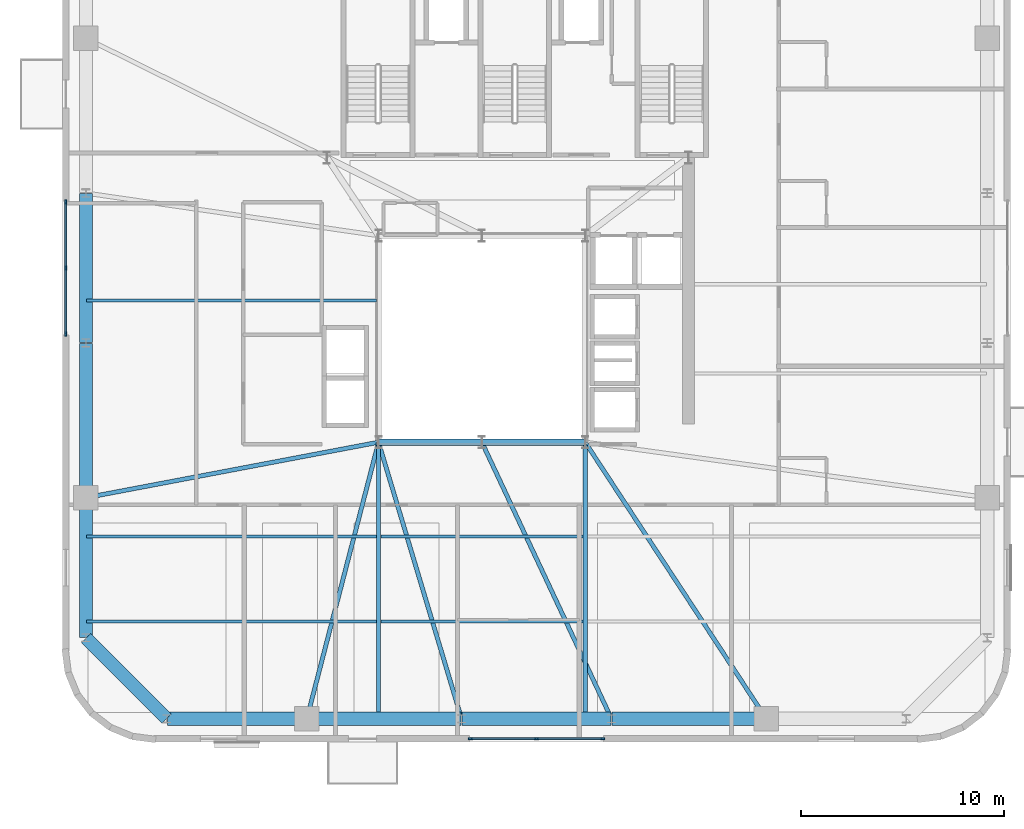
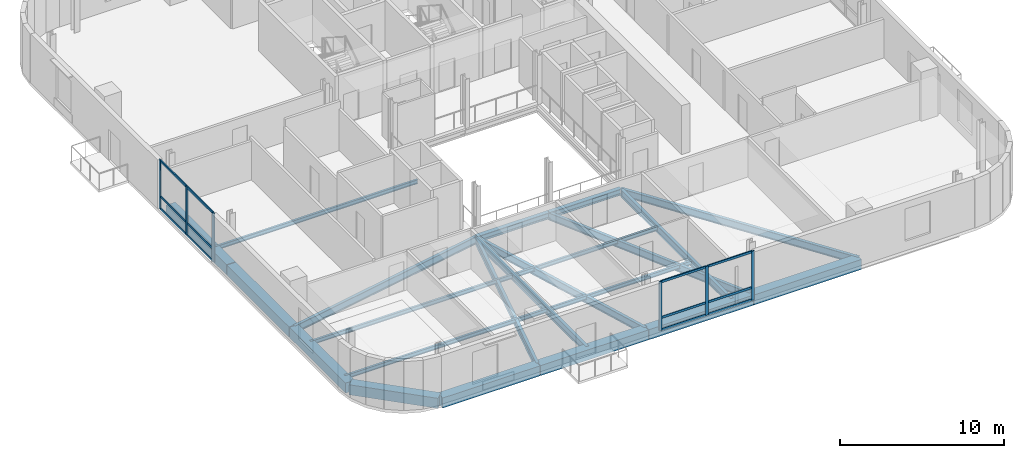
# One storey, part 3 of 15: 22 beams, 18 members, 2 elements without a shape of their own.
"""IFC4 building model written with IfcOpenShell, lengths in metres."""

from ifc_helpers import new_model, si_unit, direction, frame, origin, origin_2d, place, context, subcontext, project, spatial, rectangle, i_section, extrude, source, transform, mapped, material, material_profile, profile_set, type_object, element, aggregate, save


model = new_model("IFC4")

# Units and contexts
model_context = context("Model", 3, precision=1e-05, world=origin(), true_north=direction((0.0, 1.0)))
body_context = subcontext(model_context, "Body", "Model", "MODEL_VIEW")
ifc_project = project(units=[si_unit("LENGTHUNIT", "METRE"), si_unit("AREAUNIT", "SQUARE_METRE"), si_unit("VOLUMEUNIT", "CUBIC_METRE"), si_unit("PLANEANGLEUNIT", "RADIAN"), si_unit("MASSUNIT", "GRAM", prefix="KILO")], contexts=[model_context])

# Site, building, storey
site_placement = place(None, origin())
site = spatial("IfcSite", under=ifc_project, at=site_placement, CompositionType="ELEMENT")
building_placement = place(site_placement, origin())
building = spatial("IfcBuilding", under=site, at=building_placement, Name="Vardaveli Station Tower", CompositionType="ELEMENT")
storey_placement = place(building_placement, frame((0.0, 0.0, 250.60009765625)))
storey = spatial("IfcBuildingStorey", under=building, at=storey_placement, Name="L64", CompositionType="ELEMENT", Elevation=250.60009765625)

# Beams
ifc_material_1 = material(Name="Structural steel S355J2", Category="steel")
ifc_material_profile_1 = material_profile(ifc_material_1, i_section(OverallWidth=0.300048828125, OverallDepth=0.449951171875, WebThickness=0.013916015625, FlangeThickness=0.02587890625, FilletRadius=0.027099609375, at=origin_2d()), Name="HEB 450")
ifc_profile_set_1 = profile_set([ifc_material_profile_1], Name="Structural steel S355J2")
beam_type_1 = type_object("IfcBeamType", Name="BM-HEB450", PredefinedType="BEAM", material=ifc_profile_set_1)
shared_shape_1 = source(origin(), body_context, "Body", "SweptSolid", [
    extrude(i_section(OverallWidth=0.300048828125, OverallDepth=0.449951171875, WebThickness=0.013916015625, FlangeThickness=0.02587890625, FilletRadius=0.027099609375, at=origin_2d()), origin(), (0.0, 0.0, 1.0), 5.06005859375),
])
beam_1_placement = place(storey_placement, frame((31.219970703125, 16.60009765625, -0.445068359375), z_axis=(1.0, 0.0, 0.0), x_axis=(0.0, 1.0, 0.0)))
element("IfcBeam", 1, at=beam_1_placement, inside=storey, type_object=beam_type_1, Name="ABM-L64-01", PredefinedType="BEAM", context=body_context, shape_type="MappedRepresentation", body=[
    mapped(shared_shape_1, transform((0.0, 0.0, 0.0), scale=1.0)),
])
shared_shape_2 = source(origin(), body_context, "Body", "SweptSolid", [
    extrude(i_section(OverallWidth=0.300048828125, OverallDepth=0.449951171875, WebThickness=0.013916015625, FlangeThickness=0.02587890625, FilletRadius=0.027099609375, at=origin_2d()), origin(), (0.0, 0.0, 1.0), 5.059814453125),
])
beam_2_placement = place(storey_placement, frame((36.320068359375, 16.60009765625, -0.445068359375), z_axis=(1.0, 0.0, 0.0), x_axis=(0.0, 1.0, 0.0)))
element("IfcBeam", 2, at=beam_2_placement, inside=storey, type_object=beam_type_1, Name="ABM-L64-02", PredefinedType="BEAM", context=body_context, shape_type="MappedRepresentation", body=[
    mapped(shared_shape_2, transform((0.0, 0.0, 0.0), scale=1.0)),
])
ifc_material_2 = material(Name="Precast concrete C45/55", Category="concrete")
ifc_material_profile_2 = material_profile(ifc_material_2, rectangle(XDim=0.64990234375, YDim=0.75, at=origin_2d()), Name="LPB 650x750")
ifc_profile_set_2 = profile_set([ifc_material_profile_2], Name="Precast concrete C45/55")
beam_type_2 = type_object("IfcBeamType", Name="BM-LPB-750", PredefinedType="BEAM", material=ifc_profile_set_2)
shared_shape_3 = source(origin(), body_context, "Body", "SweptSolid", [
    extrude(rectangle(XDim=0.64990234375, YDim=0.75, at=origin_2d()), origin(), (0.0, 0.0, 1.0), 7.60009765625),
])
for number, where, z_axis, x_axis, name in (
    (3, (27.679931640625, 2.949951171875, -0.59521484375), (1.0, 0.0, 0.0), (0.0, 1.0, 0.0), "RBM-L64-01"),
    (4, (42.719970703125, 2.949951171875, -0.59521484375), (1.0, 0.0, 0.0), (0.0, 1.0, 0.0), "RBM-L64-03"),
    (5, (16.75, 21.47998046875, -0.59521484375), (0.0, -1.0, 0.0), (1.0, 0.0, 0.0), "RBM-L64-21"),
):
    element("IfcBeam", number, at=place(storey_placement, frame(where, z_axis=z_axis, x_axis=x_axis)), inside=storey, type_object=beam_type_2, Name=name, PredefinedType="BEAM", context=body_context, shape_type="MappedRepresentation", body=[
        mapped(shared_shape_3, transform((0.0, 0.0, 0.0), scale=1.0)),
    ])
shared_shape_4 = source(origin(), body_context, "Body", "SweptSolid", [
    extrude(rectangle(XDim=0.64990234375, YDim=0.75, at=origin_2d()), origin(), (0.0, 0.0, 1.0), 7.35986328125),
])
for number, where, z_axis, x_axis, name in (
    (6, (35.320068359375, 2.949951171875, -0.59521484375), (1.0, 0.0, 0.0), (0.0, 1.0, 0.0), "RBM-L64-02"),
    (7, (16.75, 28.8798828125, -0.59521484375), (0.0, -1.0, 0.0), (1.0, 0.0, 0.0), "RBM-L64-20"),
):
    element("IfcBeam", number, at=place(storey_placement, frame(where, z_axis=z_axis, x_axis=x_axis)), inside=storey, type_object=beam_type_2, Name=name, PredefinedType="BEAM", context=body_context, shape_type="MappedRepresentation", body=[
        mapped(shared_shape_4, transform((0.0, 0.0, 0.0), scale=1.0)),
    ])
shared_shape_5 = source(origin(), body_context, "Body", "SweptSolid", [
    extrude(rectangle(XDim=0.64990234375, YDim=0.75, at=origin_2d()), origin(), (0.0, 0.0, 1.0), 6.869873046875),
])
beam_3_placement = place(storey_placement, frame((20.77001953125, 2.949951171875, -0.59521484375), z_axis=(1.0, 0.0, 0.0), x_axis=(0.0, 1.0, 0.0)))
element("IfcBeam", 8, at=beam_3_placement, inside=storey, type_object=beam_type_2, Name="RBM-L64-24", PredefinedType="BEAM", context=body_context, shape_type="MappedRepresentation", body=[
    mapped(shared_shape_5, transform((0.0, 0.0, 0.0), scale=1.0)),
])
shared_shape_6 = source(origin(), body_context, "Body", "SweptSolid", [
    extrude(rectangle(XDim=0.64990234375, YDim=0.75, at=origin_2d()), origin(), (0.0, 0.0, 1.0), 5.61669921875),
])
beam_4_placement = place(storey_placement, frame((16.76416015625, 6.935791015625, -0.59521484375), z_axis=(0.707106781187, -0.707106781187, 0.0), x_axis=(0.707106781187, 0.707106781187, 0.0)))
element("IfcBeam", 9, at=beam_4_placement, inside=storey, type_object=beam_type_2, Name="RBM-L64-23", PredefinedType="BEAM", context=body_context, shape_type="MappedRepresentation", body=[
    mapped(shared_shape_6, transform((0.0, 0.0, 0.0), scale=1.0)),
])
shared_shape_7 = source(origin(), body_context, "Body", "SweptSolid", [
    extrude(rectangle(XDim=0.64990234375, YDim=0.75, at=origin_2d()), origin(), (0.0, 0.0, 1.0), 6.8701171875),
])
beam_5_placement = place(storey_placement, frame((16.75, 13.840087890625, -0.59521484375), z_axis=(0.0, -1.0, 0.0), x_axis=(1.0, 0.0, 0.0)))
element("IfcBeam", 10, at=beam_5_placement, inside=storey, type_object=beam_type_2, Name="RBM-L64-22", PredefinedType="BEAM", context=body_context, shape_type="MappedRepresentation", body=[
    mapped(shared_shape_7, transform((0.0, 0.0, 0.0), scale=1.0)),
])
ifc_material_profile_3 = material_profile(ifc_material_1, i_section(OverallWidth=0.2099609375, OverallDepth=0.550048828125, WebThickness=0.010986328125, FlangeThickness=0.01708984375, FilletRadius=0.02392578125, at=origin_2d()), Name="IPE 550")
ifc_profile_set_3 = profile_set([ifc_material_profile_3], Name="Structural steel S355J2")
beam_type_3 = type_object("IfcBeamType", Name="BM-IPE550", PredefinedType="BEAM", material=ifc_profile_set_3)
shared_shape_8 = source(origin(), body_context, "Body", "SweptSolid", [
    extrude(i_section(OverallWidth=0.2099609375, OverallDepth=0.550048828125, WebThickness=0.010986328125, FlangeThickness=0.01708984375, FilletRadius=0.02392578125, at=origin_2d()), origin(), (0.0, 0.0, 1.0), 13.469970703125),
])
for number, where, z_axis, x_axis, name in (
    (11, (31.199951171875, 2.989990234375, -0.4951171875), (0.0, 1.0, 0.0), (-1.0, 0.0, 0.0), "NSM-L64-S1"),
    (12, (41.39990234375, 2.989990234375, -0.4951171875), (0.0, 1.0, 0.0), (-1.0, 0.0, 0.0), "NSM-L64-S2"),
):
    element("IfcBeam", number, at=place(storey_placement, frame(where, z_axis=z_axis, x_axis=x_axis)), inside=storey, type_object=beam_type_3, Name=name, PredefinedType="BEAM", context=body_context, shape_type="MappedRepresentation", body=[
        mapped(shared_shape_8, transform((0.0, 0.0, 0.0), scale=1.0)),
    ])
shared_shape_9 = source(origin(), body_context, "Body", "SweptSolid", [
    extrude(i_section(OverallWidth=0.2099609375, OverallDepth=0.550048828125, WebThickness=0.010986328125, FlangeThickness=0.01708984375, FilletRadius=0.02392578125, at=origin_2d()), origin(), (0.0, 0.0, 1.0), 14.0615234375),
])
beam_6_placement = place(storey_placement, frame((27.6650390625, 2.96923828125, -0.4951171875), z_axis=(0.251039886128, 0.967976743302, 0.0), x_axis=(-0.967976743302, 0.251039886128, 0.0)))
element("IfcBeam", 13, at=beam_6_placement, inside=storey, type_object=beam_type_3, Name="GBM-L64-01", PredefinedType="BEAM", context=body_context, shape_type="MappedRepresentation", body=[
    mapped(shared_shape_9, transform((0.0, 0.0, 0.0), scale=1.0)),
])
shared_shape_10 = source(origin(), body_context, "Body", "SweptSolid", [
    extrude(i_section(OverallWidth=0.2099609375, OverallDepth=0.550048828125, WebThickness=0.010986328125, FlangeThickness=0.01708984375, FilletRadius=0.02392578125, at=origin_2d()), origin(), (0.0, 0.0, 1.0), 14.21240234375),
])
beam_7_placement = place(storey_placement, frame((35.294189453125, 2.96923828125, -0.4951171875), z_axis=(-0.287664640516, 0.957731201641, 0.0), x_axis=(-0.957731201641, -0.287664640516, 0.0)))
element("IfcBeam", 14, at=beam_7_placement, inside=storey, type_object=beam_type_3, Name="GBM-L64-02", PredefinedType="BEAM", context=body_context, shape_type="MappedRepresentation", body=[
    mapped(shared_shape_10, transform((0.0, 0.0, 0.0), scale=1.0)),
])
shared_shape_11 = source(origin(), body_context, "Body", "SweptSolid", [
    extrude(i_section(OverallWidth=0.2099609375, OverallDepth=0.550048828125, WebThickness=0.010986328125, FlangeThickness=0.01708984375, FilletRadius=0.02392578125, at=origin_2d()), origin(), (0.0, 0.0, 1.0), 15.035888671875),
])
beam_8_placement = place(storey_placement, frame((42.69140625, 2.968017578125, -0.4951171875), z_axis=(-0.424507924171, 0.905424222293, 0.0), x_axis=(-0.905424222293, -0.424507924171, 0.0)))
element("IfcBeam", 15, at=beam_8_placement, inside=storey, type_object=beam_type_3, Name="GBM-L64-03", PredefinedType="BEAM", context=body_context, shape_type="MappedRepresentation", body=[
    mapped(shared_shape_11, transform((0.0, 0.0, 0.0), scale=1.0)),
])
shared_shape_12 = source(origin(), body_context, "Body", "SweptSolid", [
    extrude(i_section(OverallWidth=0.2099609375, OverallDepth=0.550048828125, WebThickness=0.010986328125, FlangeThickness=0.01708984375, FilletRadius=0.02392578125, at=origin_2d()), origin(), (0.0, 0.0, 1.0), 16.277099609375),
])
beam_9_placement = place(storey_placement, frame((50.3291015625, 2.966796875, -0.4951171875), z_axis=(-0.547901042625, 0.836543153394, 0.0), x_axis=(-0.836543153394, -0.547901042625, 0.0)))
element("IfcBeam", 16, at=beam_9_placement, inside=storey, type_object=beam_type_3, Name="GBM-L64-04", PredefinedType="BEAM", context=body_context, shape_type="MappedRepresentation", body=[
    mapped(shared_shape_12, transform((0.0, 0.0, 0.0), scale=1.0)),
])
shared_shape_13 = source(origin(), body_context, "Body", "SweptSolid", [
    extrude(i_section(OverallWidth=0.2099609375, OverallDepth=0.550048828125, WebThickness=0.010986328125, FlangeThickness=0.01708984375, FilletRadius=0.02392578125, at=origin_2d()), origin(), (0.0, 0.0, 1.0), 14.667724609375),
])
beam_10_placement = place(storey_placement, frame((16.76953125, 13.86376953125, -0.4951171875), z_axis=(0.982494981835, 0.186289051395, 0.0), x_axis=(-0.186289051395, 0.982494981835, 0.0)))
element("IfcBeam", 17, at=beam_10_placement, inside=storey, type_object=beam_type_3, Name="GBM-L64-10", PredefinedType="BEAM", context=body_context, shape_type="MappedRepresentation", body=[
    mapped(shared_shape_13, transform((0.0, 0.0, 0.0), scale=1.0)),
])
ifc_material_profile_4 = material_profile(ifc_material_1, i_section(OverallWidth=0.14990234375, OverallDepth=0.300048828125, WebThickness=0.007080078125, FlangeThickness=0.0107421875, FilletRadius=0.014892578125, at=origin_2d()), Name="IPE 300")
ifc_profile_set_4 = profile_set([ifc_material_profile_4], Name="Structural steel S355J2")
beam_type_4 = type_object("IfcBeamType", Name="BM-IPE300", PredefinedType="JOIST", material=ifc_profile_set_4)
shared_shape_14 = source(origin(), body_context, "Body", "SweptSolid", [
    extrude(i_section(OverallWidth=0.14990234375, OverallDepth=0.300048828125, WebThickness=0.007080078125, FlangeThickness=0.0107421875, FilletRadius=0.014892578125, at=origin_2d()), origin(), (0.0, 0.0, 1.0), 14.2978515625),
])
for number, where, z_axis, x_axis, name in (
    (18, (16.7900390625, 7.75, -0.3701171875), (1.0, 0.0, 0.0), (0.0, 1.0, 0.0), "SJ-L64-S01"),
    (19, (16.7900390625, 11.949951171875, -0.3701171875), (1.0, 0.0, 0.0), (0.0, 1.0, 0.0), "SJ-L64-S04"),
    (20, (16.7900390625, 23.60009765625, -0.3701171875), (1.0, 0.0, 0.0), (0.0, 1.0, 0.0), "SJ-L64-W08"),
):
    element("IfcBeam", number, at=place(storey_placement, frame(where, z_axis=z_axis, x_axis=x_axis)), inside=storey, type_object=beam_type_4, Name=name, PredefinedType="JOIST", context=body_context, shape_type="MappedRepresentation", body=[
        mapped(shared_shape_14, transform((0.0, 0.0, 0.0), scale=1.0)),
    ])
shared_shape_15 = source(origin(), body_context, "Body", "SweptSolid", [
    extrude(i_section(OverallWidth=0.14990234375, OverallDepth=0.300048828125, WebThickness=0.007080078125, FlangeThickness=0.0107421875, FilletRadius=0.014892578125, at=origin_2d()), origin(), (0.0, 0.0, 1.0), 9.97607421875),
])
for number, where, z_axis, x_axis, name in (
    (21, (31.31201171875, 7.75, -0.3701171875), (1.0, 0.0, 0.0), (0.0, 1.0, 0.0), "SJ-L64-S02"),
    (22, (31.31201171875, 11.949951171875, -0.3701171875), (1.0, 0.0, 0.0), (0.0, 1.0, 0.0), "SJ-L64-S05"),
):
    element("IfcBeam", number, at=place(storey_placement, frame(where, z_axis=z_axis, x_axis=x_axis)), inside=storey, type_object=beam_type_4, Name=name, PredefinedType="JOIST", context=body_context, shape_type="MappedRepresentation", body=[
        mapped(shared_shape_15, transform((0.0, 0.0, 0.0), scale=1.0)),
    ])

# Curtain wall, members
ifc_material_3 = material(Name="Travertine stone and solar-control glass", Category="masonry")
curtain_wall_type = type_object("IfcCurtainWallType", Name="CW-SYS-5", PredefinedType="NOTDEFINED", material=ifc_material_3)
curtain_wall_1_placement = place(storey_placement, origin())
curtain_wall_1 = element("IfcCurtainWall", 23, at=curtain_wall_1_placement, inside=storey, type_object=curtain_wall_type, Name="CW-L64-S", PredefinedType="NOTDEFINED")
ifc_material_4 = material(Name="Anodised aluminium alloy 6063-T6", Category="aluminium")
ifc_material_profile_5 = material_profile(ifc_material_4, rectangle(XDim=0.080078125, YDim=0.1650390625, at=origin_2d()), Name="CWT 80x165")
ifc_profile_set_5 = profile_set([ifc_material_profile_5], Name="Anodised aluminium alloy 6063-T6")
member_type_1 = type_object("IfcMemberType", Name="CW-SYS-5-TRAN", PredefinedType="NOTDEFINED", material=ifc_profile_set_5)
shared_shape_16 = source(origin(), body_context, "Body", "SweptSolid", [
    extrude(rectangle(XDim=0.080078125, YDim=0.1650390625, at=origin_2d()), origin(), (0.0, 0.0, 1.0), 3.179931640625),
])
member_1_placement = place(storey_placement, frame((35.780029296875, 1.9599609375, 0.039794921875), z_axis=(1.0, 0.0, 0.0), x_axis=(0.0, 1.0, 0.0)))
member_1 = element("IfcMember", 24, at=member_1_placement, type_object=member_type_1, Name="CW-5 transom 1.1", ObjectType="TRANSOM", PredefinedType="USERDEFINED", context=body_context, shape_type="MappedRepresentation", body=[
    mapped(shared_shape_16, transform((0.0, 0.0, 0.0), scale=1.0)),
])
member_2_placement = place(storey_placement, frame((35.780029296875, 1.9599609375, 0.949951171875), z_axis=(1.0, 0.0, 0.0), x_axis=(0.0, 1.0, 0.0)))
member_2 = element("IfcMember", 25, at=member_2_placement, type_object=member_type_1, Name="CW-5 transom 1.2", ObjectType="TRANSOM", PredefinedType="USERDEFINED", context=body_context, shape_type="MappedRepresentation", body=[
    mapped(shared_shape_16, transform((0.0, 0.0, 0.0), scale=1.0)),
])
member_3_placement = place(storey_placement, frame((35.780029296875, 1.9599609375, 3.60986328125), z_axis=(1.0, 0.0, 0.0), x_axis=(0.0, 1.0, 0.0)))
member_3 = element("IfcMember", 26, at=member_3_placement, type_object=member_type_1, Name="CW-5 transom 1.3", ObjectType="TRANSOM", PredefinedType="USERDEFINED", context=body_context, shape_type="MappedRepresentation", body=[
    mapped(shared_shape_16, transform((0.0, 0.0, 0.0), scale=1.0)),
])
member_4_placement = place(storey_placement, frame((39.0400390625, 1.9599609375, 0.039794921875), z_axis=(1.0, 0.0, 0.0), x_axis=(0.0, 1.0, 0.0)))
member_4 = element("IfcMember", 27, at=member_4_placement, type_object=member_type_1, Name="CW-5 transom 2.1", ObjectType="TRANSOM", PredefinedType="USERDEFINED", context=body_context, shape_type="MappedRepresentation", body=[
    mapped(shared_shape_16, transform((0.0, 0.0, 0.0), scale=1.0)),
])
member_5_placement = place(storey_placement, frame((39.0400390625, 1.9599609375, 0.949951171875), z_axis=(1.0, 0.0, 0.0), x_axis=(0.0, 1.0, 0.0)))
member_5 = element("IfcMember", 28, at=member_5_placement, type_object=member_type_1, Name="CW-5 transom 2.2", ObjectType="TRANSOM", PredefinedType="USERDEFINED", context=body_context, shape_type="MappedRepresentation", body=[
    mapped(shared_shape_16, transform((0.0, 0.0, 0.0), scale=1.0)),
])
member_6_placement = place(storey_placement, frame((39.0400390625, 1.9599609375, 3.60986328125), z_axis=(1.0, 0.0, 0.0), x_axis=(0.0, 1.0, 0.0)))
member_6 = element("IfcMember", 29, at=member_6_placement, type_object=member_type_1, Name="CW-5 transom 2.3", ObjectType="TRANSOM", PredefinedType="USERDEFINED", context=body_context, shape_type="MappedRepresentation", body=[
    mapped(shared_shape_16, transform((0.0, 0.0, 0.0), scale=1.0)),
])

curtain_wall_2_placement = place(storey_placement, origin())
curtain_wall_2 = element("IfcCurtainWall", 30, at=curtain_wall_2_placement, inside=storey, type_object=curtain_wall_type, Name="CW-L64-W", PredefinedType="NOTDEFINED")
member_7_placement = place(storey_placement, frame((15.760009765625, 28.419921875, 0.039794921875), z_axis=(0.0, -1.0, 0.0), x_axis=(1.0, 0.0, 0.0)))
member_7 = element("IfcMember", 31, at=member_7_placement, type_object=member_type_1, Name="CW-5 transom 1.1", ObjectType="TRANSOM", PredefinedType="USERDEFINED", context=body_context, shape_type="MappedRepresentation", body=[
    mapped(shared_shape_16, transform((0.0, 0.0, 0.0), scale=1.0)),
])
member_8_placement = place(storey_placement, frame((15.760009765625, 28.419921875, 0.949951171875), z_axis=(0.0, -1.0, 0.0), x_axis=(1.0, 0.0, 0.0)))
member_8 = element("IfcMember", 32, at=member_8_placement, type_object=member_type_1, Name="CW-5 transom 1.2", ObjectType="TRANSOM", PredefinedType="USERDEFINED", context=body_context, shape_type="MappedRepresentation", body=[
    mapped(shared_shape_16, transform((0.0, 0.0, 0.0), scale=1.0)),
])
member_9_placement = place(storey_placement, frame((15.760009765625, 28.419921875, 3.60986328125), z_axis=(0.0, -1.0, 0.0), x_axis=(1.0, 0.0, 0.0)))
member_9 = element("IfcMember", 33, at=member_9_placement, type_object=member_type_1, Name="CW-5 transom 1.3", ObjectType="TRANSOM", PredefinedType="USERDEFINED", context=body_context, shape_type="MappedRepresentation", body=[
    mapped(shared_shape_16, transform((0.0, 0.0, 0.0), scale=1.0)),
])
member_10_placement = place(storey_placement, frame((15.760009765625, 25.159912109375, 0.039794921875), z_axis=(0.0, -1.0, 0.0), x_axis=(1.0, 0.0, 0.0)))
member_10 = element("IfcMember", 34, at=member_10_placement, type_object=member_type_1, Name="CW-5 transom 2.1", ObjectType="TRANSOM", PredefinedType="USERDEFINED", context=body_context, shape_type="MappedRepresentation", body=[
    mapped(shared_shape_16, transform((0.0, 0.0, 0.0), scale=1.0)),
])
member_11_placement = place(storey_placement, frame((15.760009765625, 25.159912109375, 0.949951171875), z_axis=(0.0, -1.0, 0.0), x_axis=(1.0, 0.0, 0.0)))
member_11 = element("IfcMember", 35, at=member_11_placement, type_object=member_type_1, Name="CW-5 transom 2.2", ObjectType="TRANSOM", PredefinedType="USERDEFINED", context=body_context, shape_type="MappedRepresentation", body=[
    mapped(shared_shape_16, transform((0.0, 0.0, 0.0), scale=1.0)),
])
member_12_placement = place(storey_placement, frame((15.760009765625, 25.159912109375, 3.60986328125), z_axis=(0.0, -1.0, 0.0), x_axis=(1.0, 0.0, 0.0)))
member_12 = element("IfcMember", 36, at=member_12_placement, type_object=member_type_1, Name="CW-5 transom 2.3", ObjectType="TRANSOM", PredefinedType="USERDEFINED", context=body_context, shape_type="MappedRepresentation", body=[
    mapped(shared_shape_16, transform((0.0, 0.0, 0.0), scale=1.0)),
])

# Member
ifc_material_profile_6 = material_profile(ifc_material_4, rectangle(XDim=0.080078125, YDim=0.205078125, at=origin_2d()), Name="CWM 80x205")
ifc_profile_set_6 = profile_set([ifc_material_profile_6], Name="Anodised aluminium alloy 6063-T6")
member_type_2 = type_object("IfcMemberType", Name="CW-SYS-5-MULL", PredefinedType="MULLION", material=ifc_profile_set_6)
shared_shape_17 = source(origin(), body_context, "Body", "SweptSolid", [
    extrude(rectangle(XDim=0.080078125, YDim=0.205078125, at=origin_2d()), origin(), (0.0, 0.0, 1.0), 3.64990234375),
])
member_13_placement = place(storey_placement, frame((35.739990234375, 1.9599609375, 0.0), z_axis=(0.0, 0.0, 1.0), x_axis=(0.0, 1.0, 0.0)))
member_13 = element("IfcMember", 37, at=member_13_placement, type_object=member_type_2, Name="CW-5 mullion 1", PredefinedType="MULLION", context=body_context, shape_type="MappedRepresentation", body=[
    mapped(shared_shape_17, transform((0.0, 0.0, 0.0), scale=1.0)),
])

member_14_placement = place(storey_placement, frame((39.0, 1.9599609375, 0.0), z_axis=(0.0, 0.0, 1.0), x_axis=(0.0, 1.0, 0.0)))
member_14 = element("IfcMember", 38, at=member_14_placement, type_object=member_type_2, Name="CW-5 mullion 2", PredefinedType="MULLION", context=body_context, shape_type="MappedRepresentation", body=[
    mapped(shared_shape_17, transform((0.0, 0.0, 0.0), scale=1.0)),
])

member_15_placement = place(storey_placement, frame((42.260009765625, 1.9599609375, 0.0), z_axis=(0.0, 0.0, 1.0), x_axis=(0.0, 1.0, 0.0)))
member_15 = element("IfcMember", 39, at=member_15_placement, type_object=member_type_2, Name="CW-5 mullion 3", PredefinedType="MULLION", context=body_context, shape_type="MappedRepresentation", body=[
    mapped(shared_shape_17, transform((0.0, 0.0, 0.0), scale=1.0)),
])

aggregate(curtain_wall_1, [member_13, member_14, member_15, member_1, member_2, member_3, member_4, member_5, member_6])

member_16_placement = place(storey_placement, frame((15.760009765625, 28.4599609375, 0.0), z_axis=(0.0, 0.0, 1.0), x_axis=(1.0, 0.0, 0.0)))
member_16 = element("IfcMember", 40, at=member_16_placement, type_object=member_type_2, Name="CW-5 mullion 1", PredefinedType="MULLION", context=body_context, shape_type="MappedRepresentation", body=[
    mapped(shared_shape_17, transform((0.0, 0.0, 0.0), scale=1.0)),
])

member_17_placement = place(storey_placement, frame((15.760009765625, 25.199951171875, 0.0), z_axis=(0.0, 0.0, 1.0), x_axis=(1.0, 0.0, 0.0)))
member_17 = element("IfcMember", 41, at=member_17_placement, type_object=member_type_2, Name="CW-5 mullion 2", PredefinedType="MULLION", context=body_context, shape_type="MappedRepresentation", body=[
    mapped(shared_shape_17, transform((0.0, 0.0, 0.0), scale=1.0)),
])

member_18_placement = place(storey_placement, frame((15.760009765625, 21.93994140625, 0.0), z_axis=(0.0, 0.0, 1.0), x_axis=(1.0, 0.0, 0.0)))
member_18 = element("IfcMember", 42, at=member_18_placement, type_object=member_type_2, Name="CW-5 mullion 3", PredefinedType="MULLION", context=body_context, shape_type="MappedRepresentation", body=[
    mapped(shared_shape_17, transform((0.0, 0.0, 0.0), scale=1.0)),
])

aggregate(curtain_wall_2, [member_16, member_17, member_18, member_7, member_8, member_9, member_10, member_11, member_12])

save(model, "model.ifc")
